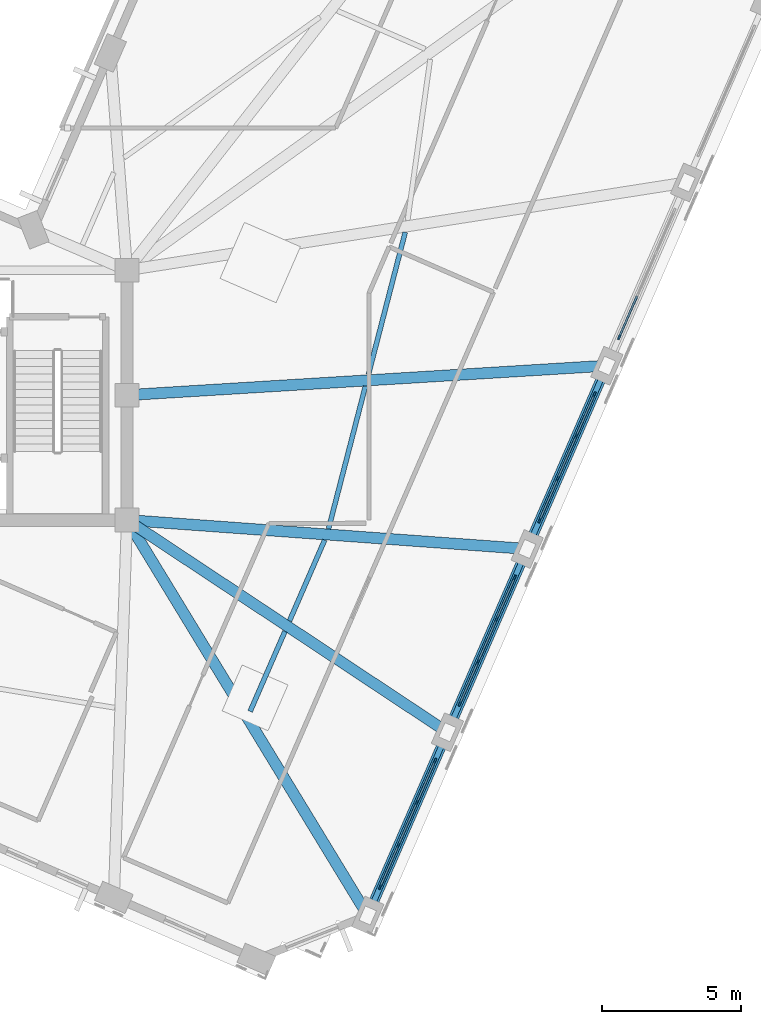
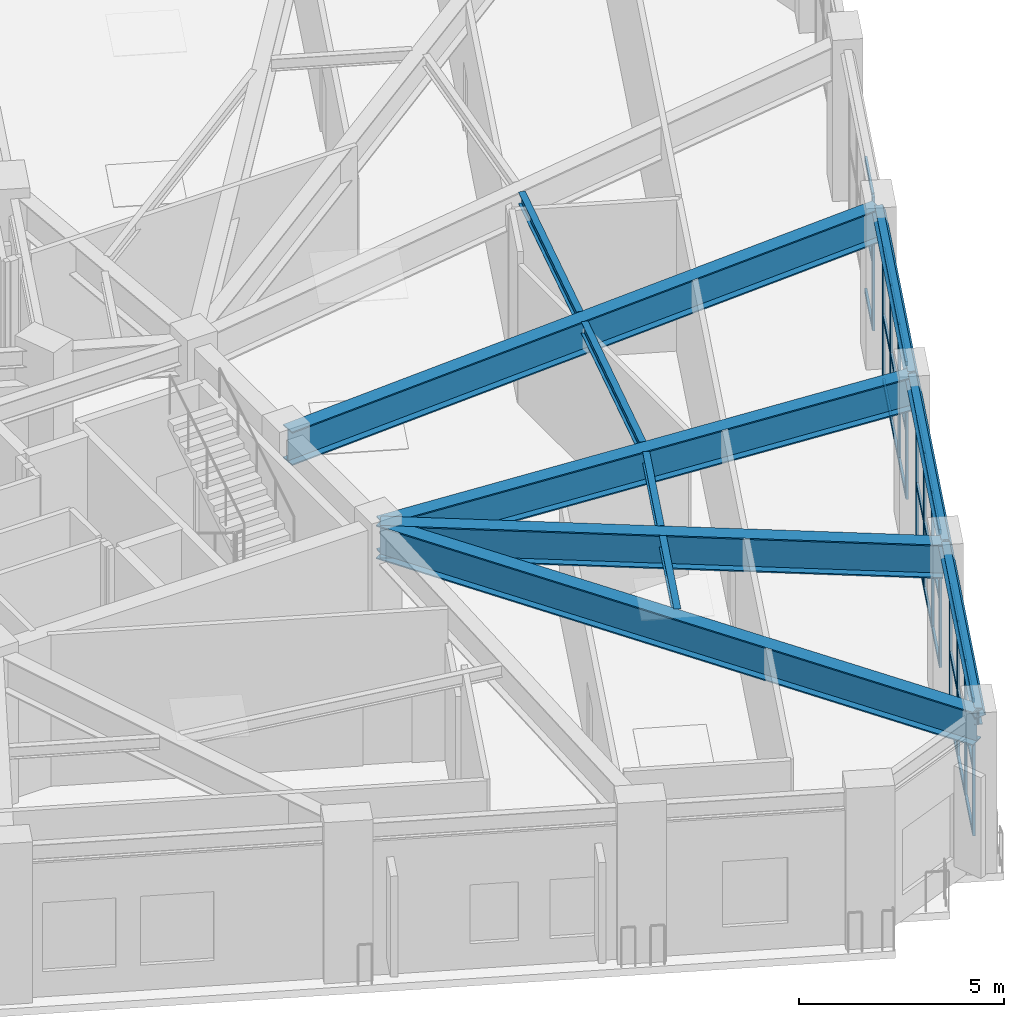
# One storey, part 4 of 16: 46 members, 11 beams, 4 elements without a shape of their own.
"""IFC4 building model written with IfcOpenShell, lengths in metres."""

from ifc_helpers import new_model, si_unit, direction, frame, origin, origin_2d, place, context, subcontext, project, spatial, rectangle, hollow_rectangle, i_section, extrude, material, material_profile, profile_set, type_object, element, aggregate, save


model = new_model("IFC4")

# Units and contexts
model_context = context("Model", 3, precision=1e-05, world=origin(), true_north=direction((0.0, 1.0)))
body_context = subcontext(model_context, "Body", "Model", "MODEL_VIEW")
ifc_project = project(units=[si_unit("LENGTHUNIT", "METRE"), si_unit("AREAUNIT", "SQUARE_METRE"), si_unit("VOLUMEUNIT", "CUBIC_METRE"), si_unit("PLANEANGLEUNIT", "RADIAN"), si_unit("MASSUNIT", "GRAM", prefix="KILO")], contexts=[model_context])

# Site, building, storey
site_placement = place(None, origin())
site = spatial("IfcSite", under=ifc_project, at=site_placement, CompositionType="ELEMENT")
building_placement = place(site_placement, origin())
building = spatial("IfcBuilding", under=site, at=building_placement, Name="Gaonmaruhae Medical Tower", CompositionType="ELEMENT")
storey_placement = place(building_placement, frame((0.0, 0.0, 333.39990234375)))
storey = spatial("IfcBuildingStorey", under=building, at=storey_placement, Name="L80", CompositionType="ELEMENT", Elevation=333.39990234375)

# Beams
ifc_material_1 = material(Name="Steel SM420", Category="steel")
ifc_material_profile_1 = material_profile(ifc_material_1, i_section(OverallWidth=0.39990234375, OverallDepth=1.0, WebThickness=0.02197265625, FlangeThickness=0.035888671875, at=origin_2d()), Name="BH-1000x400x22x36")
ifc_profile_set_1 = profile_set([ifc_material_profile_1], Name="Steel SM420")
beam_type_1 = type_object("IfcBeamType", Name="BG-02 Refuge Floor Primary Girder (BH-1000x400x22x36)", PredefinedType="BEAM", material=ifc_profile_set_1)
beam_1_placement = place(storey_placement, frame((35.6259765625, 7.75732421875, 4.0), z_axis=(0.520036625826, -0.854143961988, 0.0), x_axis=(0.854143961988, 0.520036625826, 0.0)))
element("IfcBeam", 1, at=beam_1_placement, inside=storey, type_object=beam_type_1, Name="L80 Radial Primary Girder S01", PredefinedType="BEAM", context=body_context, shape_type="SweptSolid", body=[
    extrude(i_section(OverallWidth=0.39990234375, OverallDepth=1.0, WebThickness=0.02197265625, FlangeThickness=0.035888671875, at=origin_2d()), origin(), (0.0, 0.0, 1.0), 16.58154296875),
])
beam_2_placement = place(storey_placement, frame((35.6416015625, 7.7724609375, 4.0), z_axis=(0.833770161097, -0.552111690208, 0.0), x_axis=(0.552111690208, 0.833770161097, 0.0)))
element("IfcBeam", 2, at=beam_2_placement, inside=storey, type_object=beam_type_1, Name="L80 Radial Primary Girder S02", PredefinedType="BEAM", context=body_context, shape_type="SweptSolid", body=[
    extrude(i_section(OverallWidth=0.39990234375, OverallDepth=1.0, WebThickness=0.02197265625, FlangeThickness=0.035888671875, at=origin_2d()), origin(), (0.0, 0.0, 1.0), 13.748291015625),
])
beam_3_placement = place(storey_placement, frame((35.64990234375, 7.79638671875, 4.0), z_axis=(0.997394062708, -0.072146265841, 0.0), x_axis=(0.072146265841, 0.997394062708, 0.0)))
element("IfcBeam", 3, at=beam_3_placement, inside=storey, type_object=beam_type_1, Name="L80 Radial Primary Girder S03", PredefinedType="BEAM", context=body_context, shape_type="SweptSolid", body=[
    extrude(i_section(OverallWidth=0.39990234375, OverallDepth=1.0, WebThickness=0.02197265625, FlangeThickness=0.035888671875, at=origin_2d()), origin(), (0.0, 0.0, 1.0), 14.354736328125),
])
beam_4_placement = place(storey_placement, frame((35.64990234375, 12.302978515625, 4.0), z_axis=(0.998125311209, 0.061203456791, 0.0), x_axis=(-0.061203456791, 0.998125311209, 0.0)))
element("IfcBeam", 4, at=beam_4_placement, inside=storey, type_object=beam_type_1, Name="L80 Radial Primary Girder S04", PredefinedType="BEAM", context=body_context, shape_type="SweptSolid", body=[
    extrude(i_section(OverallWidth=0.39990234375, OverallDepth=1.0, WebThickness=0.02197265625, FlangeThickness=0.035888671875, at=origin_2d()), origin(), (0.0, 0.0, 1.0), 17.220458984375),
])

# Curtain wall, members
ifc_material_2 = material(Name="Anodised aluminium and Low-E double glazing", Category="aluminium")
curtain_wall_type = type_object("IfcCurtainWallType", Name="CW-S5 Observation Crown Panorama Curtain Wall", PredefinedType="NOTDEFINED", material=ifc_material_2)
curtain_wall_1_placement = place(storey_placement, origin())
curtain_wall_1 = element("IfcCurtainWall", 5, at=curtain_wall_1_placement, inside=storey, type_object=curtain_wall_type, Name="L80 Curtain Wall CW-L80-S01", PredefinedType="NOTDEFINED")
ifc_material_3 = material(Name="Anodised aluminium 6063-T6", Category="aluminium")
ifc_material_profile_2 = material_profile(ifc_material_3, rectangle(XDim=0.06494140625, YDim=0.179931640625, at=origin_2d()), Name="CWM-65x180")
ifc_profile_set_2 = profile_set([ifc_material_profile_2], Name="Anodised aluminium 6063-T6")
member_type_1 = type_object("IfcMemberType", Name="CWM-2 Tower Feature Curtain Wall Mullion (CWM-65x180)", PredefinedType="MULLION", material=ifc_profile_set_2)
member_1_placement = place(storey_placement, frame((46.699462890625, -0.872802734375, 0.0), z_axis=(0.0, 0.0, 1.0), x_axis=(0.917067525132, -0.398731932942, 0.0)))
member_1 = element("IfcMember", 6, at=member_1_placement, type_object=member_type_1, Name="CW-S5 mullion 1", PredefinedType="MULLION", context=body_context, shape_type="SweptSolid", body=[
    extrude(rectangle(XDim=0.06494140625, YDim=0.179931640625, at=origin_2d()), origin(), (0.0, 0.0, 1.0), 3.985107421875),
])
member_2_placement = place(storey_placement, frame((46.04443359375, -2.37890625, 0.0), z_axis=(0.0, 0.0, 1.0), x_axis=(0.917067525132, -0.398731932942, 0.0)))
member_2 = element("IfcMember", 7, at=member_2_placement, type_object=member_type_1, Name="CW-S5 mullion 2", PredefinedType="MULLION", context=body_context, shape_type="SweptSolid", body=[
    extrude(rectangle(XDim=0.06494140625, YDim=0.179931640625, at=origin_2d()), origin(), (0.0, 0.0, 1.0), 3.985107421875),
])
member_3_placement = place(storey_placement, frame((45.376708984375, -3.9150390625, 0.0), z_axis=(0.0, 0.0, 1.0), x_axis=(0.917067525132, -0.398731932942, 0.0)))
member_3 = element("IfcMember", 8, at=member_3_placement, type_object=member_type_1, Name="CW-S5 mullion 3", PredefinedType="MULLION", context=body_context, shape_type="SweptSolid", body=[
    extrude(rectangle(XDim=0.06494140625, YDim=0.179931640625, at=origin_2d()), origin(), (0.0, 0.0, 1.0), 3.985107421875),
])
member_4_placement = place(storey_placement, frame((44.7216796875, -5.42138671875, 0.0), z_axis=(0.0, 0.0, 1.0), x_axis=(0.917067525132, -0.398731932942, 0.0)))
member_4 = element("IfcMember", 9, at=member_4_placement, type_object=member_type_1, Name="CW-S5 mullion 4", PredefinedType="MULLION", context=body_context, shape_type="SweptSolid", body=[
    extrude(rectangle(XDim=0.06494140625, YDim=0.179931640625, at=origin_2d()), origin(), (0.0, 0.0, 1.0), 3.985107421875),
])

curtain_wall_2_placement = place(storey_placement, origin())
curtain_wall_2 = element("IfcCurtainWall", 10, at=curtain_wall_2_placement, inside=storey, type_object=curtain_wall_type, Name="L80 Curtain Wall CW-L80-S02", PredefinedType="NOTDEFINED")
member_5_placement = place(storey_placement, frame((49.570556640625, 5.72998046875, 0.0), z_axis=(0.0, 0.0, 1.0), x_axis=(0.917067525132, -0.398731932942, 0.0)))
member_5 = element("IfcMember", 11, at=member_5_placement, type_object=member_type_1, Name="CW-S5 mullion 1", PredefinedType="MULLION", context=body_context, shape_type="SweptSolid", body=[
    extrude(rectangle(XDim=0.06494140625, YDim=0.179931640625, at=origin_2d()), origin(), (0.0, 0.0, 1.0), 3.985107421875),
])
member_6_placement = place(storey_placement, frame((48.91552734375, 4.223876953125, 0.0), z_axis=(0.0, 0.0, 1.0), x_axis=(0.917067525132, -0.398731932942, 0.0)))
member_6 = element("IfcMember", 12, at=member_6_placement, type_object=member_type_1, Name="CW-S5 mullion 2", PredefinedType="MULLION", context=body_context, shape_type="SweptSolid", body=[
    extrude(rectangle(XDim=0.06494140625, YDim=0.179931640625, at=origin_2d()), origin(), (0.0, 0.0, 1.0), 3.985107421875),
])
member_7_placement = place(storey_placement, frame((48.24755859375, 2.687744140625, 0.0), z_axis=(0.0, 0.0, 1.0), x_axis=(0.917067525132, -0.398731932942, 0.0)))
member_7 = element("IfcMember", 13, at=member_7_placement, type_object=member_type_1, Name="CW-S5 mullion 3", PredefinedType="MULLION", context=body_context, shape_type="SweptSolid", body=[
    extrude(rectangle(XDim=0.06494140625, YDim=0.179931640625, at=origin_2d()), origin(), (0.0, 0.0, 1.0), 3.985107421875),
])
member_8_placement = place(storey_placement, frame((47.5927734375, 1.181396484375, 0.0), z_axis=(0.0, 0.0, 1.0), x_axis=(0.917067525132, -0.398731932942, 0.0)))
member_8 = element("IfcMember", 14, at=member_8_placement, type_object=member_type_1, Name="CW-S5 mullion 4", PredefinedType="MULLION", context=body_context, shape_type="SweptSolid", body=[
    extrude(rectangle(XDim=0.06494140625, YDim=0.179931640625, at=origin_2d()), origin(), (0.0, 0.0, 1.0), 3.985107421875),
])

curtain_wall_3_placement = place(storey_placement, origin())
curtain_wall_3 = element("IfcCurtainWall", 15, at=curtain_wall_3_placement, inside=storey, type_object=curtain_wall_type, Name="L80 Curtain Wall CW-L80-S03", PredefinedType="NOTDEFINED")
member_9_placement = place(storey_placement, frame((52.44140625, 12.3330078125, 0.0), z_axis=(0.0, 0.0, 1.0), x_axis=(0.917064361082, -0.398739210052, 0.0)))
member_9 = element("IfcMember", 16, at=member_9_placement, type_object=member_type_1, Name="CW-S5 mullion 1", PredefinedType="MULLION", context=body_context, shape_type="SweptSolid", body=[
    extrude(rectangle(XDim=0.06494140625, YDim=0.179931640625, at=origin_2d()), origin(), (0.0, 0.0, 1.0), 3.985107421875),
])
member_10_placement = place(storey_placement, frame((51.78662109375, 10.82666015625, 0.0), z_axis=(0.0, 0.0, 1.0), x_axis=(0.917064361082, -0.398739210052, 0.0)))
member_10 = element("IfcMember", 17, at=member_10_placement, type_object=member_type_1, Name="CW-S5 mullion 2", PredefinedType="MULLION", context=body_context, shape_type="SweptSolid", body=[
    extrude(rectangle(XDim=0.06494140625, YDim=0.179931640625, at=origin_2d()), origin(), (0.0, 0.0, 1.0), 3.985107421875),
])
member_11_placement = place(storey_placement, frame((51.11865234375, 9.29052734375, 0.0), z_axis=(0.0, 0.0, 1.0), x_axis=(0.917064361082, -0.398739210052, 0.0)))
member_11 = element("IfcMember", 18, at=member_11_placement, type_object=member_type_1, Name="CW-S5 mullion 3", PredefinedType="MULLION", context=body_context, shape_type="SweptSolid", body=[
    extrude(rectangle(XDim=0.06494140625, YDim=0.179931640625, at=origin_2d()), origin(), (0.0, 0.0, 1.0), 3.985107421875),
])
member_12_placement = place(storey_placement, frame((50.4638671875, 7.784423828125, 0.0), z_axis=(0.0, 0.0, 1.0), x_axis=(0.917064361082, -0.398739210052, 0.0)))
member_12 = element("IfcMember", 19, at=member_12_placement, type_object=member_type_1, Name="CW-S5 mullion 4", PredefinedType="MULLION", context=body_context, shape_type="SweptSolid", body=[
    extrude(rectangle(XDim=0.06494140625, YDim=0.179931640625, at=origin_2d()), origin(), (0.0, 0.0, 1.0), 3.985107421875),
])

# Curtain wall, member
curtain_wall_4_placement = place(storey_placement, origin())
curtain_wall_4 = element("IfcCurtainWall", 20, at=curtain_wall_4_placement, inside=storey, type_object=curtain_wall_type, Name="L80 Curtain Wall CW-L80-S04", PredefinedType="NOTDEFINED")
member_13_placement = place(storey_placement, frame((53.334716796875, 14.38720703125, 0.0), z_axis=(0.0, 0.0, 1.0), x_axis=(0.917060248038, -0.398748669551, 0.0)))
member_13 = element("IfcMember", 21, at=member_13_placement, type_object=member_type_1, Name="CW-S5 mullion 4", PredefinedType="MULLION", context=body_context, shape_type="SweptSolid", body=[
    extrude(rectangle(XDim=0.06494140625, YDim=0.179931640625, at=origin_2d()), origin(), (0.0, 0.0, 1.0), 3.985107421875),
])

# Member
ifc_material_profile_3 = material_profile(ifc_material_3, rectangle(XDim=0.06494140625, YDim=0.139892578125, at=origin_2d()), Name="CWT-65x140")
ifc_profile_set_3 = profile_set([ifc_material_profile_3], Name="Anodised aluminium 6063-T6")
member_type_2 = type_object("IfcMemberType", Name="CWT-2 Tower Feature Curtain Wall Transom (CWT-65x140)", PredefinedType="USERDEFINED", material=ifc_profile_set_3)
member_14_placement = place(storey_placement, frame((46.6865234375, -0.902587890625, 0.03271484375), z_axis=(-0.398844954504, -0.917018376188, 0.0), x_axis=(0.917018376188, -0.398844954504, 0.0)))
member_14 = element("IfcMember", 22, at=member_14_placement, type_object=member_type_2, Name="CW-S5 transom 1.1", ObjectType="TRANSOM", PredefinedType="USERDEFINED", context=body_context, shape_type="SweptSolid", body=[
    extrude(rectangle(XDim=0.06494140625, YDim=0.139892578125, at=origin_2d()), origin(), (0.0, 0.0, 1.0), 1.577392578125),
])

member_15_placement = place(storey_placement, frame((46.6865234375, -0.902587890625, 1.99267578125), z_axis=(-0.398844954504, -0.917018376188, 0.0), x_axis=(0.917018376188, -0.398844954504, 0.0)))
member_15 = element("IfcMember", 23, at=member_15_placement, type_object=member_type_2, Name="CW-S5 transom 1.2", ObjectType="TRANSOM", PredefinedType="USERDEFINED", context=body_context, shape_type="SweptSolid", body=[
    extrude(rectangle(XDim=0.06494140625, YDim=0.139892578125, at=origin_2d()), origin(), (0.0, 0.0, 1.0), 1.577392578125),
])

member_16_placement = place(storey_placement, frame((46.6865234375, -0.902587890625, 3.95263671875), z_axis=(-0.398844954504, -0.917018376188, 0.0), x_axis=(0.917018376188, -0.398844954504, 0.0)))
member_16 = element("IfcMember", 24, at=member_16_placement, type_object=member_type_2, Name="CW-S5 transom 1.3", ObjectType="TRANSOM", PredefinedType="USERDEFINED", context=body_context, shape_type="SweptSolid", body=[
    extrude(rectangle(XDim=0.06494140625, YDim=0.139892578125, at=origin_2d()), origin(), (0.0, 0.0, 1.0), 1.577392578125),
])

member_17_placement = place(storey_placement, frame((46.031494140625, -2.40869140625, 0.03271484375), z_axis=(-0.398654028301, -0.917101393369, 0.0), x_axis=(0.917101393369, -0.398654028301, 0.0)))
member_17 = element("IfcMember", 25, at=member_17_placement, type_object=member_type_2, Name="CW-S5 transom 2.1", ObjectType="TRANSOM", PredefinedType="USERDEFINED", context=body_context, shape_type="SweptSolid", body=[
    extrude(rectangle(XDim=0.06494140625, YDim=0.139892578125, at=origin_2d()), origin(), (0.0, 0.0, 1.0), 1.610107421875),
])

member_18_placement = place(storey_placement, frame((46.031494140625, -2.40869140625, 1.99267578125), z_axis=(-0.398654028301, -0.917101393369, 0.0), x_axis=(0.917101393369, -0.398654028301, 0.0)))
member_18 = element("IfcMember", 26, at=member_18_placement, type_object=member_type_2, Name="CW-S5 transom 2.2", ObjectType="TRANSOM", PredefinedType="USERDEFINED", context=body_context, shape_type="SweptSolid", body=[
    extrude(rectangle(XDim=0.06494140625, YDim=0.139892578125, at=origin_2d()), origin(), (0.0, 0.0, 1.0), 1.610107421875),
])

member_19_placement = place(storey_placement, frame((46.031494140625, -2.40869140625, 3.95263671875), z_axis=(-0.398654028301, -0.917101393369, 0.0), x_axis=(0.917101393369, -0.398654028301, 0.0)))
member_19 = element("IfcMember", 27, at=member_19_placement, type_object=member_type_2, Name="CW-S5 transom 2.3", ObjectType="TRANSOM", PredefinedType="USERDEFINED", context=body_context, shape_type="SweptSolid", body=[
    extrude(rectangle(XDim=0.06494140625, YDim=0.139892578125, at=origin_2d()), origin(), (0.0, 0.0, 1.0), 1.610107421875),
])

member_20_placement = place(storey_placement, frame((45.36376953125, -3.94482421875, 0.03271484375), z_axis=(-0.398788354558, -0.917042991505, 0.0), x_axis=(0.917042991505, -0.398788354558, 0.0)))
member_20 = element("IfcMember", 28, at=member_20_placement, type_object=member_type_2, Name="CW-S5 transom 3.1", ObjectType="TRANSOM", PredefinedType="USERDEFINED", context=body_context, shape_type="SweptSolid", body=[
    extrude(rectangle(XDim=0.06494140625, YDim=0.139892578125, at=origin_2d()), origin(), (0.0, 0.0, 1.0), 1.57763671875),
])

member_21_placement = place(storey_placement, frame((45.36376953125, -3.94482421875, 1.99267578125), z_axis=(-0.398788354558, -0.917042991505, 0.0), x_axis=(0.917042991505, -0.398788354558, 0.0)))
member_21 = element("IfcMember", 29, at=member_21_placement, type_object=member_type_2, Name="CW-S5 transom 3.2", ObjectType="TRANSOM", PredefinedType="USERDEFINED", context=body_context, shape_type="SweptSolid", body=[
    extrude(rectangle(XDim=0.06494140625, YDim=0.139892578125, at=origin_2d()), origin(), (0.0, 0.0, 1.0), 1.57763671875),
])

member_22_placement = place(storey_placement, frame((45.36376953125, -3.94482421875, 3.95263671875), z_axis=(-0.398788354558, -0.917042991505, 0.0), x_axis=(0.917042991505, -0.398788354558, 0.0)))
member_22 = element("IfcMember", 30, at=member_22_placement, type_object=member_type_2, Name="CW-S5 transom 3.3", ObjectType="TRANSOM", PredefinedType="USERDEFINED", context=body_context, shape_type="SweptSolid", body=[
    extrude(rectangle(XDim=0.06494140625, YDim=0.139892578125, at=origin_2d()), origin(), (0.0, 0.0, 1.0), 1.57763671875),
])

aggregate(curtain_wall_1, [member_1, member_2, member_3, member_4, member_14, member_15, member_16, member_17, member_18, member_19, member_20, member_21, member_22])

member_23_placement = place(storey_placement, frame((49.557373046875, 5.7001953125, 0.03271484375), z_axis=(-0.398714791977, -0.917074977665, 0.0), x_axis=(0.917074977665, -0.398714791977, 0.0)))
member_23 = element("IfcMember", 31, at=member_23_placement, type_object=member_type_2, Name="CW-S5 transom 1.1", ObjectType="TRANSOM", PredefinedType="USERDEFINED", context=body_context, shape_type="SweptSolid", body=[
    extrude(rectangle(XDim=0.06494140625, YDim=0.139892578125, at=origin_2d()), origin(), (0.0, 0.0, 1.0), 1.577392578125),
])

member_24_placement = place(storey_placement, frame((49.557373046875, 5.7001953125, 1.99267578125), z_axis=(-0.398714791977, -0.917074977665, 0.0), x_axis=(0.917074977665, -0.398714791977, 0.0)))
member_24 = element("IfcMember", 32, at=member_24_placement, type_object=member_type_2, Name="CW-S5 transom 1.2", ObjectType="TRANSOM", PredefinedType="USERDEFINED", context=body_context, shape_type="SweptSolid", body=[
    extrude(rectangle(XDim=0.06494140625, YDim=0.139892578125, at=origin_2d()), origin(), (0.0, 0.0, 1.0), 1.577392578125),
])

member_25_placement = place(storey_placement, frame((49.557373046875, 5.7001953125, 3.95263671875), z_axis=(-0.398714791977, -0.917074977665, 0.0), x_axis=(0.917074977665, -0.398714791977, 0.0)))
member_25 = element("IfcMember", 33, at=member_25_placement, type_object=member_type_2, Name="CW-S5 transom 1.3", ObjectType="TRANSOM", PredefinedType="USERDEFINED", context=body_context, shape_type="SweptSolid", body=[
    extrude(rectangle(XDim=0.06494140625, YDim=0.139892578125, at=origin_2d()), origin(), (0.0, 0.0, 1.0), 1.577392578125),
])

member_26_placement = place(storey_placement, frame((48.902587890625, 4.194091796875, 0.03271484375), z_axis=(-0.398654028301, -0.917101393369, 0.0), x_axis=(0.917101393369, -0.398654028301, 0.0)))
member_26 = element("IfcMember", 34, at=member_26_placement, type_object=member_type_2, Name="CW-S5 transom 2.1", ObjectType="TRANSOM", PredefinedType="USERDEFINED", context=body_context, shape_type="SweptSolid", body=[
    extrude(rectangle(XDim=0.06494140625, YDim=0.139892578125, at=origin_2d()), origin(), (0.0, 0.0, 1.0), 1.610107421875),
])

member_27_placement = place(storey_placement, frame((48.902587890625, 4.194091796875, 1.99267578125), z_axis=(-0.398654028301, -0.917101393369, 0.0), x_axis=(0.917101393369, -0.398654028301, 0.0)))
member_27 = element("IfcMember", 35, at=member_27_placement, type_object=member_type_2, Name="CW-S5 transom 2.2", ObjectType="TRANSOM", PredefinedType="USERDEFINED", context=body_context, shape_type="SweptSolid", body=[
    extrude(rectangle(XDim=0.06494140625, YDim=0.139892578125, at=origin_2d()), origin(), (0.0, 0.0, 1.0), 1.610107421875),
])

member_28_placement = place(storey_placement, frame((48.902587890625, 4.194091796875, 3.95263671875), z_axis=(-0.398654028301, -0.917101393369, 0.0), x_axis=(0.917101393369, -0.398654028301, 0.0)))
member_28 = element("IfcMember", 36, at=member_28_placement, type_object=member_type_2, Name="CW-S5 transom 2.3", ObjectType="TRANSOM", PredefinedType="USERDEFINED", context=body_context, shape_type="SweptSolid", body=[
    extrude(rectangle(XDim=0.06494140625, YDim=0.139892578125, at=origin_2d()), origin(), (0.0, 0.0, 1.0), 1.610107421875),
])

member_29_placement = place(storey_placement, frame((48.234619140625, 2.657958984375, 0.03271484375), z_axis=(-0.398714791977, -0.917074977665, 0.0), x_axis=(0.917074977665, -0.398714791977, 0.0)))
member_29 = element("IfcMember", 37, at=member_29_placement, type_object=member_type_2, Name="CW-S5 transom 3.1", ObjectType="TRANSOM", PredefinedType="USERDEFINED", context=body_context, shape_type="SweptSolid", body=[
    extrude(rectangle(XDim=0.06494140625, YDim=0.139892578125, at=origin_2d()), origin(), (0.0, 0.0, 1.0), 1.577392578125),
])

member_30_placement = place(storey_placement, frame((48.234619140625, 2.657958984375, 1.99267578125), z_axis=(-0.398714791977, -0.917074977665, 0.0), x_axis=(0.917074977665, -0.398714791977, 0.0)))
member_30 = element("IfcMember", 38, at=member_30_placement, type_object=member_type_2, Name="CW-S5 transom 3.2", ObjectType="TRANSOM", PredefinedType="USERDEFINED", context=body_context, shape_type="SweptSolid", body=[
    extrude(rectangle(XDim=0.06494140625, YDim=0.139892578125, at=origin_2d()), origin(), (0.0, 0.0, 1.0), 1.577392578125),
])

member_31_placement = place(storey_placement, frame((48.234619140625, 2.657958984375, 3.95263671875), z_axis=(-0.398714791977, -0.917074977665, 0.0), x_axis=(0.917074977665, -0.398714791977, 0.0)))
member_31 = element("IfcMember", 39, at=member_31_placement, type_object=member_type_2, Name="CW-S5 transom 3.3", ObjectType="TRANSOM", PredefinedType="USERDEFINED", context=body_context, shape_type="SweptSolid", body=[
    extrude(rectangle(XDim=0.06494140625, YDim=0.139892578125, at=origin_2d()), origin(), (0.0, 0.0, 1.0), 1.577392578125),
])

aggregate(curtain_wall_2, [member_5, member_6, member_7, member_8, member_23, member_24, member_25, member_26, member_27, member_28, member_29, member_30, member_31])

member_32_placement = place(storey_placement, frame((52.428466796875, 12.302978515625, 0.03271484375), z_axis=(-0.398714791977, -0.917074977665, 0.0), x_axis=(0.917074977665, -0.398714791977, 0.0)))
member_32 = element("IfcMember", 40, at=member_32_placement, type_object=member_type_2, Name="CW-S5 transom 1.1", ObjectType="TRANSOM", PredefinedType="USERDEFINED", context=body_context, shape_type="SweptSolid", body=[
    extrude(rectangle(XDim=0.06494140625, YDim=0.139892578125, at=origin_2d()), origin(), (0.0, 0.0, 1.0), 1.577392578125),
])

member_33_placement = place(storey_placement, frame((52.428466796875, 12.302978515625, 1.99267578125), z_axis=(-0.398714791977, -0.917074977665, 0.0), x_axis=(0.917074977665, -0.398714791977, 0.0)))
member_33 = element("IfcMember", 41, at=member_33_placement, type_object=member_type_2, Name="CW-S5 transom 1.2", ObjectType="TRANSOM", PredefinedType="USERDEFINED", context=body_context, shape_type="SweptSolid", body=[
    extrude(rectangle(XDim=0.06494140625, YDim=0.139892578125, at=origin_2d()), origin(), (0.0, 0.0, 1.0), 1.577392578125),
])

member_34_placement = place(storey_placement, frame((52.428466796875, 12.302978515625, 3.95263671875), z_axis=(-0.398714791977, -0.917074977665, 0.0), x_axis=(0.917074977665, -0.398714791977, 0.0)))
member_34 = element("IfcMember", 42, at=member_34_placement, type_object=member_type_2, Name="CW-S5 transom 1.3", ObjectType="TRANSOM", PredefinedType="USERDEFINED", context=body_context, shape_type="SweptSolid", body=[
    extrude(rectangle(XDim=0.06494140625, YDim=0.139892578125, at=origin_2d()), origin(), (0.0, 0.0, 1.0), 1.577392578125),
])

member_35_placement = place(storey_placement, frame((51.773681640625, 10.796875, 0.03271484375), z_axis=(-0.398837012418, -0.917021830452, 0.0), x_axis=(0.917021830452, -0.398837012418, 0.0)))
member_35 = element("IfcMember", 43, at=member_35_placement, type_object=member_type_2, Name="CW-S5 transom 2.1", ObjectType="TRANSOM", PredefinedType="USERDEFINED", context=body_context, shape_type="SweptSolid", body=[
    extrude(rectangle(XDim=0.06494140625, YDim=0.139892578125, at=origin_2d()), origin(), (0.0, 0.0, 1.0), 1.60986328125),
])

member_36_placement = place(storey_placement, frame((51.773681640625, 10.796875, 1.99267578125), z_axis=(-0.398837012418, -0.917021830452, 0.0), x_axis=(0.917021830452, -0.398837012418, 0.0)))
member_36 = element("IfcMember", 44, at=member_36_placement, type_object=member_type_2, Name="CW-S5 transom 2.2", ObjectType="TRANSOM", PredefinedType="USERDEFINED", context=body_context, shape_type="SweptSolid", body=[
    extrude(rectangle(XDim=0.06494140625, YDim=0.139892578125, at=origin_2d()), origin(), (0.0, 0.0, 1.0), 1.60986328125),
])

member_37_placement = place(storey_placement, frame((51.773681640625, 10.796875, 3.95263671875), z_axis=(-0.398837012418, -0.917021830452, 0.0), x_axis=(0.917021830452, -0.398837012418, 0.0)))
member_37 = element("IfcMember", 45, at=member_37_placement, type_object=member_type_2, Name="CW-S5 transom 2.3", ObjectType="TRANSOM", PredefinedType="USERDEFINED", context=body_context, shape_type="SweptSolid", body=[
    extrude(rectangle(XDim=0.06494140625, YDim=0.139892578125, at=origin_2d()), origin(), (0.0, 0.0, 1.0), 1.60986328125),
])

member_38_placement = place(storey_placement, frame((51.105712890625, 9.2607421875, 0.03271484375), z_axis=(-0.398714791977, -0.917074977665, 0.0), x_axis=(0.917074977665, -0.398714791977, 0.0)))
member_38 = element("IfcMember", 46, at=member_38_placement, type_object=member_type_2, Name="CW-S5 transom 3.1", ObjectType="TRANSOM", PredefinedType="USERDEFINED", context=body_context, shape_type="SweptSolid", body=[
    extrude(rectangle(XDim=0.06494140625, YDim=0.139892578125, at=origin_2d()), origin(), (0.0, 0.0, 1.0), 1.577392578125),
])

member_39_placement = place(storey_placement, frame((51.105712890625, 9.2607421875, 1.99267578125), z_axis=(-0.398714791977, -0.917074977665, 0.0), x_axis=(0.917074977665, -0.398714791977, 0.0)))
member_39 = element("IfcMember", 47, at=member_39_placement, type_object=member_type_2, Name="CW-S5 transom 3.2", ObjectType="TRANSOM", PredefinedType="USERDEFINED", context=body_context, shape_type="SweptSolid", body=[
    extrude(rectangle(XDim=0.06494140625, YDim=0.139892578125, at=origin_2d()), origin(), (0.0, 0.0, 1.0), 1.577392578125),
])

member_40_placement = place(storey_placement, frame((51.105712890625, 9.2607421875, 3.95263671875), z_axis=(-0.398714791977, -0.917074977665, 0.0), x_axis=(0.917074977665, -0.398714791977, 0.0)))
member_40 = element("IfcMember", 48, at=member_40_placement, type_object=member_type_2, Name="CW-S5 transom 3.3", ObjectType="TRANSOM", PredefinedType="USERDEFINED", context=body_context, shape_type="SweptSolid", body=[
    extrude(rectangle(XDim=0.06494140625, YDim=0.139892578125, at=origin_2d()), origin(), (0.0, 0.0, 1.0), 1.577392578125),
])

aggregate(curtain_wall_3, [member_9, member_10, member_11, member_12, member_32, member_33, member_34, member_35, member_36, member_37, member_38, member_39, member_40])

member_41_placement = place(storey_placement, frame((53.9765625, 15.86376953125, 0.03271484375), z_axis=(-0.398658203519, -0.917099578436, 0.0), x_axis=(0.917099578436, -0.398658203519, 0.0)))
member_41 = element("IfcMember", 49, at=member_41_placement, type_object=member_type_2, Name="CW-S5 transom 3.1", ObjectType="TRANSOM", PredefinedType="USERDEFINED", context=body_context, shape_type="SweptSolid", body=[
    extrude(rectangle(XDim=0.06494140625, YDim=0.139892578125, at=origin_2d()), origin(), (0.0, 0.0, 1.0), 1.57763671875),
])

member_42_placement = place(storey_placement, frame((53.9765625, 15.86376953125, 1.99267578125), z_axis=(-0.398658203519, -0.917099578436, 0.0), x_axis=(0.917099578436, -0.398658203519, 0.0)))
member_42 = element("IfcMember", 50, at=member_42_placement, type_object=member_type_2, Name="CW-S5 transom 3.2", ObjectType="TRANSOM", PredefinedType="USERDEFINED", context=body_context, shape_type="SweptSolid", body=[
    extrude(rectangle(XDim=0.06494140625, YDim=0.139892578125, at=origin_2d()), origin(), (0.0, 0.0, 1.0), 1.57763671875),
])

member_43_placement = place(storey_placement, frame((53.9765625, 15.86376953125, 3.95263671875), z_axis=(-0.398658203519, -0.917099578436, 0.0), x_axis=(0.917099578436, -0.398658203519, 0.0)))
member_43 = element("IfcMember", 51, at=member_43_placement, type_object=member_type_2, Name="CW-S5 transom 3.3", ObjectType="TRANSOM", PredefinedType="USERDEFINED", context=body_context, shape_type="SweptSolid", body=[
    extrude(rectangle(XDim=0.06494140625, YDim=0.139892578125, at=origin_2d()), origin(), (0.0, 0.0, 1.0), 1.57763671875),
])

aggregate(curtain_wall_4, [member_13, member_41, member_42, member_43])

# Beams
ifc_material_4 = material(Name="Steel SM355", Category="steel")
ifc_material_profile_4 = material_profile(ifc_material_4, i_section(OverallWidth=0.175048828125, OverallDepth=0.35009765625, WebThickness=0.007080078125, FlangeThickness=0.010986328125, FilletRadius=0.012939453125, at=origin_2d()), Name="H-350x175x7x11")
ifc_profile_set_4 = profile_set([ifc_material_profile_4], Name="Steel SM355")
beam_type_2 = type_object("IfcBeamType", Name="FJ-02 Upper Zone Ward Floor Joist (H-350x175x7x11)", PredefinedType="JOIST", material=ifc_profile_set_4)
beam_5_placement = place(storey_placement, frame((40.03759765625, 0.905517578125, 4.3251953125), z_axis=(0.39874601067, 0.917061404146, 0.0), x_axis=(-0.917061404146, 0.39874601067, 0.0)))
element("IfcBeam", 52, at=beam_5_placement, inside=storey, type_object=beam_type_2, Name="L80 Secondary Floor Joist FJ01", PredefinedType="JOIST", context=body_context, shape_type="SweptSolid", body=[
    extrude(i_section(OverallWidth=0.175048828125, OverallDepth=0.35009765625, WebThickness=0.007080078125, FlangeThickness=0.010986328125, FilletRadius=0.012939453125, at=origin_2d()), origin(), (0.0, 0.0, 1.0), 3.140380859375),
])
beam_6_placement = place(storey_placement, frame((41.45654296875, 4.1689453125, 4.3251953125), z_axis=(0.398742993355, 0.917062716094, 0.0), x_axis=(-0.917062716094, 0.398742993355, 0.0)))
element("IfcBeam", 53, at=beam_6_placement, inside=storey, type_object=beam_type_2, Name="L80 Secondary Floor Joist FJ02", PredefinedType="JOIST", context=body_context, shape_type="SweptSolid", body=[
    extrude(i_section(OverallWidth=0.175048828125, OverallDepth=0.35009765625, WebThickness=0.007080078125, FlangeThickness=0.010986328125, FilletRadius=0.012939453125, at=origin_2d()), origin(), (0.0, 0.0, 1.0), 3.1728515625),
])
beam_7_placement = place(storey_placement, frame((42.86083984375, 7.481201171875, 4.3251953125), z_axis=(0.250373159945, 0.968149410359, 0.0), x_axis=(-0.968149410359, 0.250373159945, 0.0)))
element("IfcBeam", 54, at=beam_7_placement, inside=storey, type_object=beam_type_2, Name="L80 Secondary Floor Joist FJ03", PredefinedType="JOIST", context=body_context, shape_type="SweptSolid", body=[
    extrude(i_section(OverallWidth=0.175048828125, OverallDepth=0.35009765625, WebThickness=0.007080078125, FlangeThickness=0.010986328125, FilletRadius=0.012939453125, at=origin_2d()), origin(), (0.0, 0.0, 1.0), 5.30859375),
])
beam_8_placement = place(storey_placement, frame((44.298095703125, 13.03955078125, 4.3251953125), z_axis=(0.25037313325, 0.968149417263, 0.0), x_axis=(-0.968149417263, 0.25037313325, 0.0)))
element("IfcBeam", 55, at=beam_8_placement, inside=storey, type_object=beam_type_2, Name="L80 Secondary Floor Joist FJ04", PredefinedType="JOIST", context=body_context, shape_type="SweptSolid", body=[
    extrude(i_section(OverallWidth=0.175048828125, OverallDepth=0.35009765625, WebThickness=0.007080078125, FlangeThickness=0.010986328125, FilletRadius=0.012939453125, at=origin_2d()), origin(), (0.0, 0.0, 1.0), 5.2939453125),
])

# Members
ifc_material_profile_5 = material_profile(ifc_material_4, hollow_rectangle(XDim=0.199951171875, YDim=0.300048828125, WallThickness=0.011962890625, at=origin_2d()), Name="RHS-300x200x12")
ifc_profile_set_5 = profile_set([ifc_material_profile_5], Name="Steel SM355")
member_type_3 = type_object("IfcMemberType", Name="PR-01 Observation Canopy Roof Purlin (RHS-300x200x12)", PredefinedType="PURLIN", material=ifc_profile_set_5)
member_44_placement = place(storey_placement, frame((44.275146484375, -6.448486328125, 4.34521484375), z_axis=(0.398734790782, 0.917066282566, 0.0), x_axis=(-0.365679326316, 0.158995126572, 0.917060074385)))
element("IfcMember", 56, at=member_44_placement, inside=storey, type_object=member_type_3, Name="L80 Observation Deck Canopy Purlin PR01", PredefinedType="PURLIN", context=body_context, shape_type="SweptSolid", body=[
    extrude(hollow_rectangle(XDim=0.199951171875, YDim=0.300048828125, WallThickness=0.011962890625, at=origin_2d()), origin(), (0.0, 0.0, 1.0), 7.199951171875),
])
member_45_placement = place(storey_placement, frame((47.14599609375, 0.154296875, 4.34521484375), z_axis=(0.398750908406, 0.917059274554, 0.0), x_axis=(-0.365676531878, 0.15900155346, 0.917060074385)))
element("IfcMember", 57, at=member_45_placement, inside=storey, type_object=member_type_3, Name="L80 Observation Deck Canopy Purlin PR02", PredefinedType="PURLIN", context=body_context, shape_type="SweptSolid", body=[
    extrude(hollow_rectangle(XDim=0.199951171875, YDim=0.300048828125, WallThickness=0.011962890625, at=origin_2d()), origin(), (0.0, 0.0, 1.0), 7.2001953125),
])
member_46_placement = place(storey_placement, frame((50.01708984375, 6.75732421875, 4.34521484375), z_axis=(0.398763307949, 0.91705388295, 0.0), x_axis=(-0.365674381981, 0.159006497766, 0.917060074385)))
element("IfcMember", 58, at=member_46_placement, inside=storey, type_object=member_type_3, Name="L80 Observation Deck Canopy Purlin PR03", PredefinedType="PURLIN", context=body_context, shape_type="SweptSolid", body=[
    extrude(hollow_rectangle(XDim=0.199951171875, YDim=0.300048828125, WallThickness=0.011962890625, at=origin_2d()), origin(), (0.0, 0.0, 1.0), 7.199951171875),
])

# Beams
ifc_material_profile_6 = material_profile(ifc_material_4, i_section(OverallWidth=0.199951171875, OverallDepth=0.5, WebThickness=0.010009765625, FlangeThickness=0.01611328125, FilletRadius=0.012939453125, at=origin_2d()), Name="H-500x200x10x16")
ifc_profile_set_6 = profile_set([ifc_material_profile_6], Name="Steel SM355")
beam_type_3 = type_object("IfcBeamType", Name="SP-02 Upper Perimeter Spandrel Beam (H-500x200x10x16)", PredefinedType="SPANDREL", material=ifc_profile_set_6)
beam_9_placement = place(storey_placement, frame((44.291015625, -6.411865234375, 4.25), z_axis=(0.398747426125, 0.917060788693, 0.0), x_axis=(-0.917060788693, 0.398747426125, 0.0)))
element("IfcBeam", 59, at=beam_9_placement, inside=storey, type_object=beam_type_3, Name="L80 Perimeter Spandrel Beam S01-S02", PredefinedType="SPANDREL", context=body_context, shape_type="SweptSolid", body=[
    extrude(i_section(OverallWidth=0.199951171875, OverallDepth=0.5, WebThickness=0.010009765625, FlangeThickness=0.01611328125, FilletRadius=0.012939453125, at=origin_2d()), origin(), (0.0, 0.0, 1.0), 7.1201171875),
])
beam_10_placement = place(storey_placement, frame((47.162109375, 0.191162109375, 4.25), z_axis=(0.398759965154, 0.917055336493, 0.0), x_axis=(-0.917055336493, 0.398759965154, 0.0)))
element("IfcBeam", 60, at=beam_10_placement, inside=storey, type_object=beam_type_3, Name="L80 Perimeter Spandrel Beam S02-S03", PredefinedType="SPANDREL", context=body_context, shape_type="SweptSolid", body=[
    extrude(i_section(OverallWidth=0.199951171875, OverallDepth=0.5, WebThickness=0.010009765625, FlangeThickness=0.01611328125, FilletRadius=0.012939453125, at=origin_2d()), origin(), (0.0, 0.0, 1.0), 7.119873046875),
])
beam_11_placement = place(storey_placement, frame((50.032958984375, 6.7939453125, 4.25), z_axis=(0.398747426125, 0.917060788693, 0.0), x_axis=(-0.917060788693, 0.398747426125, 0.0)))
element("IfcBeam", 61, at=beam_11_placement, inside=storey, type_object=beam_type_3, Name="L80 Perimeter Spandrel Beam S03-S04", PredefinedType="SPANDREL", context=body_context, shape_type="SweptSolid", body=[
    extrude(i_section(OverallWidth=0.199951171875, OverallDepth=0.5, WebThickness=0.010009765625, FlangeThickness=0.01611328125, FilletRadius=0.012939453125, at=origin_2d()), origin(), (0.0, 0.0, 1.0), 7.1201171875),
])

save(model, "model.ifc")
